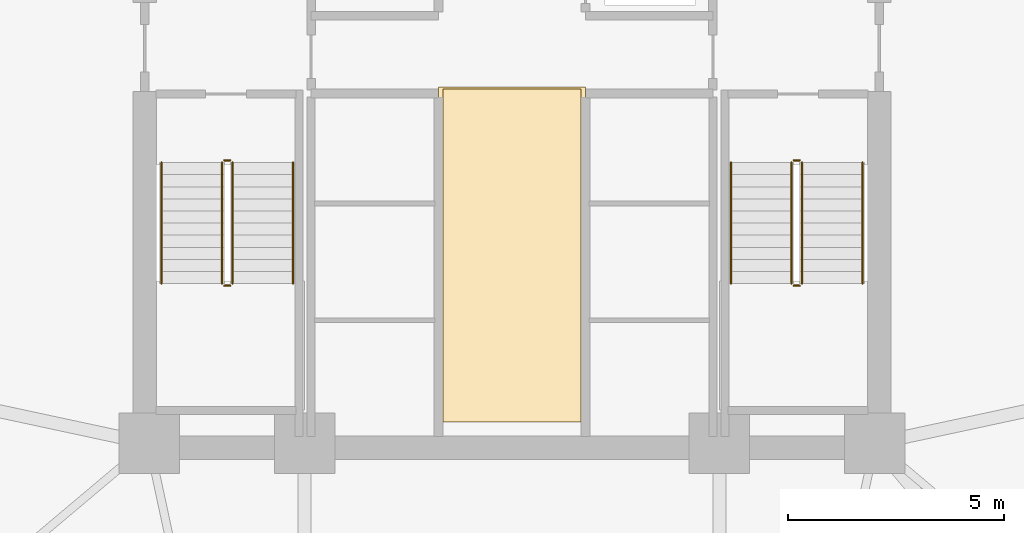
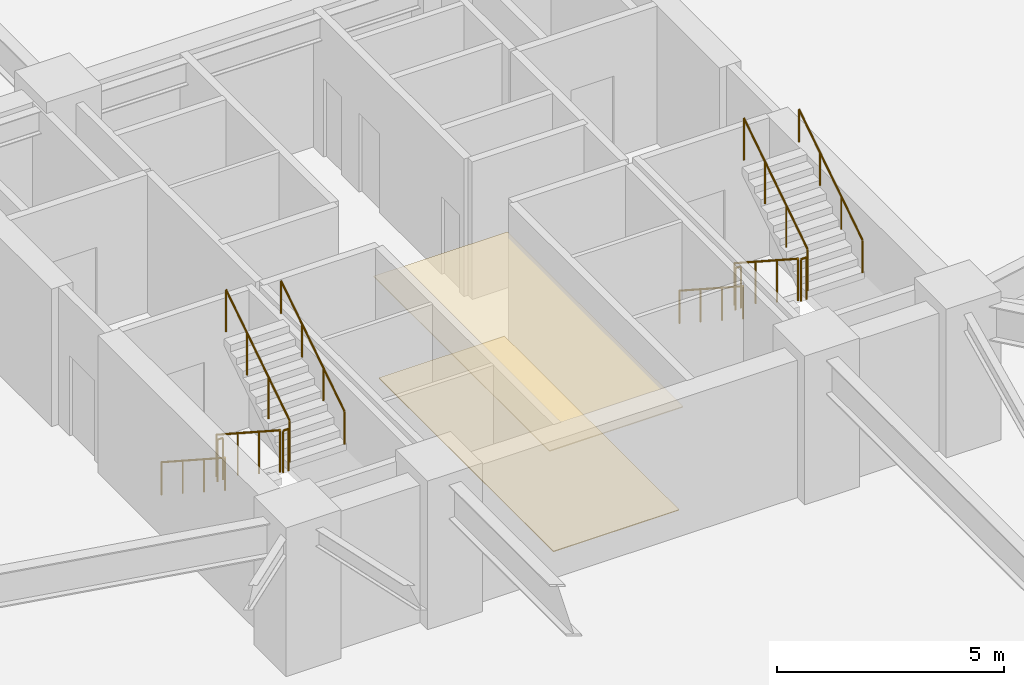
# One storey, part 8 of 9: 12 railings, 2 coverings.
"""IFC4 building model written with IfcOpenShell, lengths in metres."""

from ifc_helpers import new_model, si_unit, direction, frame, origin, origin_2d, place, context, subcontext, project, spatial, polyline, circle, outline, extrude, material, layer, layer_set, type_object, element, save


model = new_model("IFC4")

# Units and contexts
model_context = context("Model", 3, precision=1e-05, world=origin(), true_north=direction((0.0, 1.0)))
body_context = subcontext(model_context, "Body", "Model", "MODEL_VIEW")
ifc_project = project(units=[si_unit("LENGTHUNIT", "METRE"), si_unit("AREAUNIT", "SQUARE_METRE"), si_unit("VOLUMEUNIT", "CUBIC_METRE"), si_unit("PLANEANGLEUNIT", "RADIAN"), si_unit("MASSUNIT", "GRAM", prefix="KILO")], contexts=[model_context])

# Site, building, storey
site_placement = place(None, origin())
site = spatial("IfcSite", under=ifc_project, at=site_placement, CompositionType="ELEMENT")
building_placement = place(site_placement, origin())
building = spatial("IfcBuilding", under=site, at=building_placement, Name="Cairnveth Concourse Tower", CompositionType="ELEMENT")
storey_placement = place(building_placement, frame((0.0, 0.0, -4.0)))
storey = spatial("IfcBuildingStorey", under=building, at=storey_placement, Name="B01", CompositionType="ELEMENT", Elevation=-4.0)

# Covering
ifc_material_1 = material(Name="Acoustic Mineral Fibre Ceiling", Category="gypsum")
ifc_layer_1 = layer(ifc_material_1, 0.02490234375)
ifc_layer_set_1 = layer_set([ifc_layer_1], Name="Acoustic Mineral Fibre Ceiling")
covering_type_1 = type_object("IfcCoveringType", Name="ACOUSTIC MINERAL FIBRE CEILING 25", PredefinedType="CEILING", material=ifc_layer_set_1)
covering_1_placement = place(storey_placement, frame((0.0, 0.0, 2.736083984375)))
element("IfcCovering", 1, at=covering_1_placement, inside=storey, type_object=covering_type_1, Name="Lift Lobby Acoustic Ceiling B01", PredefinedType="CEILING", context=body_context, shape_type="SweptSolid", body=[
    extrude(outline(polyline([(50.300048828125, 31.10009765625), (53.699951171875, 31.10009765625), (53.699951171875, 38.85009765625), (50.300048828125, 38.85009765625), (50.300048828125, 31.10009765625)])), origin(), (0.0, 0.0, 1.0), 0.02490234375),
])

# Railings
ifc_material_2 = material(Name="Steel Grade 350", Category="steel")
railing_type_1 = type_object("IfcRailingType", Name="STAIR GUARDRAIL 1150", PredefinedType="GUARDRAIL", material=ifc_material_2)
railing_1_placement = place(storey_placement, frame((45.2900390625, 37.10009765625, 0.181884765625)))
element("IfcRailing", 2, at=railing_1_placement, inside=storey, type_object=railing_type_1, Name="B01 ST-1 stair guard 1", PredefinedType="GUARDRAIL", context=body_context, shape_type="SweptSolid", body=[
    extrude(circle(Radius=0.02392578125, at=origin_2d()), frame((0.0, 0.0, 1.1259765625), z_axis=(0.0, -0.838705829183, 0.544584733623), x_axis=(1.0, 0.0, 0.0)), (0.0, 0.0, 1.0), 3.338623046875),
    extrude(circle(Radius=0.02099609375, at=origin_2d()), origin(), (0.0, 0.0, 1.0), 1.101806640625),
    extrude(circle(Radius=0.02099609375, at=origin_2d()), frame((0.0, -0.933349609375, 0.60595703125)), (0.0, 0.0, 1.0), 1.101806640625),
    extrude(circle(Radius=0.02099609375, at=origin_2d()), frame((0.0, -1.86669921875, 1.212158203125)), (0.0, 0.0, 1.0), 1.101806640625),
    extrude(circle(Radius=0.02099609375, at=origin_2d()), frame((0.0, -2.800048828125, 1.818115234375)), (0.0, 0.0, 1.0), 1.101806640625),
])
railing_2_placement = place(storey_placement, frame((45.340087890625, 34.25, 2.0)))
element("IfcRailing", 3, at=railing_2_placement, inside=storey, type_object=railing_type_1, Name="B01 ST-1 stair guard 2", PredefinedType="GUARDRAIL", context=body_context, shape_type="SweptSolid", body=[
    extrude(circle(Radius=0.02392578125, at=origin_2d()), frame((0.0, 0.0, 1.1259765625), z_axis=(1.0, 0.0, 0.0), x_axis=(0.0, 1.0, 0.0)), (0.0, 0.0, 1.0), 0.139892578125),
    extrude(circle(Radius=0.02099609375, at=origin_2d()), origin(), (0.0, 0.0, 1.0), 1.101806640625),
    extrude(circle(Radius=0.02099609375, at=origin_2d()), frame((0.139892578125, 0.0, 0.0)), (0.0, 0.0, 1.0), 1.101806640625),
])
railing_3_placement = place(storey_placement, frame((45.530029296875, 34.300048828125, 2.181884765625)))
element("IfcRailing", 4, at=railing_3_placement, inside=storey, type_object=railing_type_1, Name="B01 ST-1 stair guard 3", PredefinedType="GUARDRAIL", context=body_context, shape_type="SweptSolid", body=[
    extrude(circle(Radius=0.02392578125, at=origin_2d()), frame((0.0, 0.0, 1.1259765625), z_axis=(0.0, 0.838705829183, 0.544584733623), x_axis=(-1.0, 0.0, 0.0)), (0.0, 0.0, 1.0), 3.338623046875),
    extrude(circle(Radius=0.02099609375, at=origin_2d()), origin(), (0.0, 0.0, 1.0), 1.101806640625),
    extrude(circle(Radius=0.02099609375, at=origin_2d()), frame((0.0, 0.933349609375, 0.60595703125)), (0.0, 0.0, 1.0), 1.101806640625),
    extrude(circle(Radius=0.02099609375, at=origin_2d()), frame((0.0, 1.86669921875, 1.212158203125)), (0.0, 0.0, 1.0), 1.101806640625),
    extrude(circle(Radius=0.02099609375, at=origin_2d()), frame((0.0, 2.800048828125, 1.818115234375)), (0.0, 0.0, 1.0), 1.101806640625),
])
railing_4_placement = place(storey_placement, frame((45.340087890625, 37.14990234375, 0.0)))
element("IfcRailing", 5, at=railing_4_placement, inside=storey, type_object=railing_type_1, Name="B01 ST-1 stair guard 4", PredefinedType="GUARDRAIL", context=body_context, shape_type="SweptSolid", body=[
    extrude(circle(Radius=0.02392578125, at=origin_2d()), frame((0.0, 0.0, 1.1259765625), z_axis=(1.0, 0.0, 0.0), x_axis=(0.0, 1.0, 0.0)), (0.0, 0.0, 1.0), 0.139892578125),
    extrude(circle(Radius=0.02099609375, at=origin_2d()), origin(), (0.0, 0.0, 1.0), 1.101806640625),
    extrude(circle(Radius=0.02099609375, at=origin_2d()), frame((0.139892578125, 0.0, 0.0)), (0.0, 0.0, 1.0), 1.101806640625),
])
railing_5_placement = place(storey_placement, frame((58.469970703125, 37.10009765625, 0.181884765625)))
element("IfcRailing", 6, at=railing_5_placement, inside=storey, type_object=railing_type_1, Name="B01 ST-2 stair guard 1", PredefinedType="GUARDRAIL", context=body_context, shape_type="SweptSolid", body=[
    extrude(circle(Radius=0.02392578125, at=origin_2d()), frame((0.0, 0.0, 1.1259765625), z_axis=(0.0, -0.838705829183, 0.544584733623), x_axis=(1.0, 0.0, 0.0)), (0.0, 0.0, 1.0), 3.338623046875),
    extrude(circle(Radius=0.02099609375, at=origin_2d()), origin(), (0.0, 0.0, 1.0), 1.101806640625),
    extrude(circle(Radius=0.02099609375, at=origin_2d()), frame((0.0, -0.933349609375, 0.60595703125)), (0.0, 0.0, 1.0), 1.101806640625),
    extrude(circle(Radius=0.02099609375, at=origin_2d()), frame((0.0, -1.86669921875, 1.212158203125)), (0.0, 0.0, 1.0), 1.101806640625),
    extrude(circle(Radius=0.02099609375, at=origin_2d()), frame((0.0, -2.800048828125, 1.818115234375)), (0.0, 0.0, 1.0), 1.101806640625),
])
railing_6_placement = place(storey_placement, frame((58.52001953125, 34.25, 2.0)))
element("IfcRailing", 7, at=railing_6_placement, inside=storey, type_object=railing_type_1, Name="B01 ST-2 stair guard 2", PredefinedType="GUARDRAIL", context=body_context, shape_type="SweptSolid", body=[
    extrude(circle(Radius=0.02392578125, at=origin_2d()), frame((0.0, 0.0, 1.1259765625), z_axis=(1.0, 0.0, 0.0), x_axis=(0.0, 1.0, 0.0)), (0.0, 0.0, 1.0), 0.139892578125),
    extrude(circle(Radius=0.02099609375, at=origin_2d()), origin(), (0.0, 0.0, 1.0), 1.101806640625),
    extrude(circle(Radius=0.02099609375, at=origin_2d()), frame((0.139892578125, 0.0, 0.0)), (0.0, 0.0, 1.0), 1.101806640625),
])
railing_7_placement = place(storey_placement, frame((58.7099609375, 34.300048828125, 2.181884765625)))
element("IfcRailing", 8, at=railing_7_placement, inside=storey, type_object=railing_type_1, Name="B01 ST-2 stair guard 3", PredefinedType="GUARDRAIL", context=body_context, shape_type="SweptSolid", body=[
    extrude(circle(Radius=0.02392578125, at=origin_2d()), frame((0.0, 0.0, 1.1259765625), z_axis=(0.0, 0.838705829183, 0.544584733623), x_axis=(-1.0, 0.0, 0.0)), (0.0, 0.0, 1.0), 3.338623046875),
    extrude(circle(Radius=0.02099609375, at=origin_2d()), origin(), (0.0, 0.0, 1.0), 1.101806640625),
    extrude(circle(Radius=0.02099609375, at=origin_2d()), frame((0.0, 0.933349609375, 0.60595703125)), (0.0, 0.0, 1.0), 1.101806640625),
    extrude(circle(Radius=0.02099609375, at=origin_2d()), frame((0.0, 1.86669921875, 1.212158203125)), (0.0, 0.0, 1.0), 1.101806640625),
    extrude(circle(Radius=0.02099609375, at=origin_2d()), frame((0.0, 2.800048828125, 1.818115234375)), (0.0, 0.0, 1.0), 1.101806640625),
])
railing_8_placement = place(storey_placement, frame((58.52001953125, 37.14990234375, 0.0)))
element("IfcRailing", 9, at=railing_8_placement, inside=storey, type_object=railing_type_1, Name="B01 ST-2 stair guard 4", PredefinedType="GUARDRAIL", context=body_context, shape_type="SweptSolid", body=[
    extrude(circle(Radius=0.02392578125, at=origin_2d()), frame((0.0, 0.0, 1.1259765625), z_axis=(1.0, 0.0, 0.0), x_axis=(0.0, 1.0, 0.0)), (0.0, 0.0, 1.0), 0.139892578125),
    extrude(circle(Radius=0.02099609375, at=origin_2d()), origin(), (0.0, 0.0, 1.0), 1.101806640625),
    extrude(circle(Radius=0.02099609375, at=origin_2d()), frame((0.139892578125, 0.0, 0.0)), (0.0, 0.0, 1.0), 1.101806640625),
])
railing_type_2 = type_object("IfcRailingType", Name="STAIR WALL HANDRAIL 900", PredefinedType="HANDRAIL", material=ifc_material_2)
railing_9_placement = place(storey_placement, frame((43.889892578125, 37.10009765625, 0.181884765625)))
element("IfcRailing", 10, at=railing_9_placement, inside=storey, type_object=railing_type_2, Name="B01 ST-1 stair handrail 1", PredefinedType="HANDRAIL", context=body_context, shape_type="SweptSolid", body=[
    extrude(circle(Radius=0.02392578125, at=origin_2d()), frame((0.0, 0.0, 0.8759765625), z_axis=(0.0, -0.838705829183, 0.544584733623), x_axis=(1.0, 0.0, 0.0)), (0.0, 0.0, 1.0), 3.338623046875),
    extrude(circle(Radius=0.02099609375, at=origin_2d()), origin(), (0.0, 0.0, 1.0), 0.851806640625),
    extrude(circle(Radius=0.02099609375, at=origin_2d()), frame((0.0, -0.933349609375, 0.60595703125)), (0.0, 0.0, 1.0), 0.851806640625),
    extrude(circle(Radius=0.02099609375, at=origin_2d()), frame((0.0, -1.86669921875, 1.212158203125)), (0.0, 0.0, 1.0), 0.851806640625),
    extrude(circle(Radius=0.02099609375, at=origin_2d()), frame((0.0, -2.800048828125, 1.818115234375)), (0.0, 0.0, 1.0), 0.851806640625),
])
railing_10_placement = place(storey_placement, frame((46.929931640625, 34.300048828125, 2.181884765625)))
element("IfcRailing", 11, at=railing_10_placement, inside=storey, type_object=railing_type_2, Name="B01 ST-1 stair handrail 2", PredefinedType="HANDRAIL", context=body_context, shape_type="SweptSolid", body=[
    extrude(circle(Radius=0.02392578125, at=origin_2d()), frame((0.0, 0.0, 0.8759765625), z_axis=(0.0, 0.838705829183, 0.544584733623), x_axis=(-1.0, 0.0, 0.0)), (0.0, 0.0, 1.0), 3.338623046875),
    extrude(circle(Radius=0.02099609375, at=origin_2d()), origin(), (0.0, 0.0, 1.0), 0.851806640625),
    extrude(circle(Radius=0.02099609375, at=origin_2d()), frame((0.0, 0.933349609375, 0.60595703125)), (0.0, 0.0, 1.0), 0.851806640625),
    extrude(circle(Radius=0.02099609375, at=origin_2d()), frame((0.0, 1.86669921875, 1.212158203125)), (0.0, 0.0, 1.0), 0.851806640625),
    extrude(circle(Radius=0.02099609375, at=origin_2d()), frame((0.0, 2.800048828125, 1.818115234375)), (0.0, 0.0, 1.0), 0.851806640625),
])
railing_11_placement = place(storey_placement, frame((57.070068359375, 37.10009765625, 0.181884765625)))
element("IfcRailing", 12, at=railing_11_placement, inside=storey, type_object=railing_type_2, Name="B01 ST-2 stair handrail 1", PredefinedType="HANDRAIL", context=body_context, shape_type="SweptSolid", body=[
    extrude(circle(Radius=0.02392578125, at=origin_2d()), frame((0.0, 0.0, 0.8759765625), z_axis=(0.0, -0.838705829183, 0.544584733623), x_axis=(1.0, 0.0, 0.0)), (0.0, 0.0, 1.0), 3.338623046875),
    extrude(circle(Radius=0.02099609375, at=origin_2d()), origin(), (0.0, 0.0, 1.0), 0.851806640625),
    extrude(circle(Radius=0.02099609375, at=origin_2d()), frame((0.0, -0.933349609375, 0.60595703125)), (0.0, 0.0, 1.0), 0.851806640625),
    extrude(circle(Radius=0.02099609375, at=origin_2d()), frame((0.0, -1.86669921875, 1.212158203125)), (0.0, 0.0, 1.0), 0.851806640625),
    extrude(circle(Radius=0.02099609375, at=origin_2d()), frame((0.0, -2.800048828125, 1.818115234375)), (0.0, 0.0, 1.0), 0.851806640625),
])
railing_12_placement = place(storey_placement, frame((60.110107421875, 34.300048828125, 2.181884765625)))
element("IfcRailing", 13, at=railing_12_placement, inside=storey, type_object=railing_type_2, Name="B01 ST-2 stair handrail 2", PredefinedType="HANDRAIL", context=body_context, shape_type="SweptSolid", body=[
    extrude(circle(Radius=0.02392578125, at=origin_2d()), frame((0.0, 0.0, 0.8759765625), z_axis=(0.0, 0.838705829183, 0.544584733623), x_axis=(-1.0, 0.0, 0.0)), (0.0, 0.0, 1.0), 3.338623046875),
    extrude(circle(Radius=0.02099609375, at=origin_2d()), origin(), (0.0, 0.0, 1.0), 0.851806640625),
    extrude(circle(Radius=0.02099609375, at=origin_2d()), frame((0.0, 0.933349609375, 0.60595703125)), (0.0, 0.0, 1.0), 0.851806640625),
    extrude(circle(Radius=0.02099609375, at=origin_2d()), frame((0.0, 1.86669921875, 1.212158203125)), (0.0, 0.0, 1.0), 0.851806640625),
    extrude(circle(Radius=0.02099609375, at=origin_2d()), frame((0.0, 2.800048828125, 1.818115234375)), (0.0, 0.0, 1.0), 0.851806640625),
])

# Covering
ifc_material_3 = material(Name="Vitrified Stoneware Tile Flooring", Category="masonry")
ifc_layer_2 = layer(ifc_material_3, 0.02001953125)
ifc_layer_set_2 = layer_set([ifc_layer_2], Name="Vitrified Stoneware Tile Flooring")
covering_type_2 = type_object("IfcCoveringType", Name="VITRIFIED STONEWARE LOBBY FLOORING 20", PredefinedType="FLOORING", material=ifc_layer_set_2)
covering_2_placement = place(storey_placement, origin())
element("IfcCovering", 14, at=covering_2_placement, inside=storey, type_object=covering_type_2, Name="Lift Lobby Stoneware Flooring B01", PredefinedType="FLOORING", context=body_context, shape_type="SweptSolid", body=[
    extrude(outline(polyline([(50.39990234375, 31.10009765625), (53.60009765625, 31.10009765625), (53.60009765625, 38.800048828125), (50.39990234375, 38.800048828125), (50.39990234375, 31.10009765625)])), origin(), (0.0, 0.0, 1.0), 0.02001953125),
])

save(model, "model.ifc")
